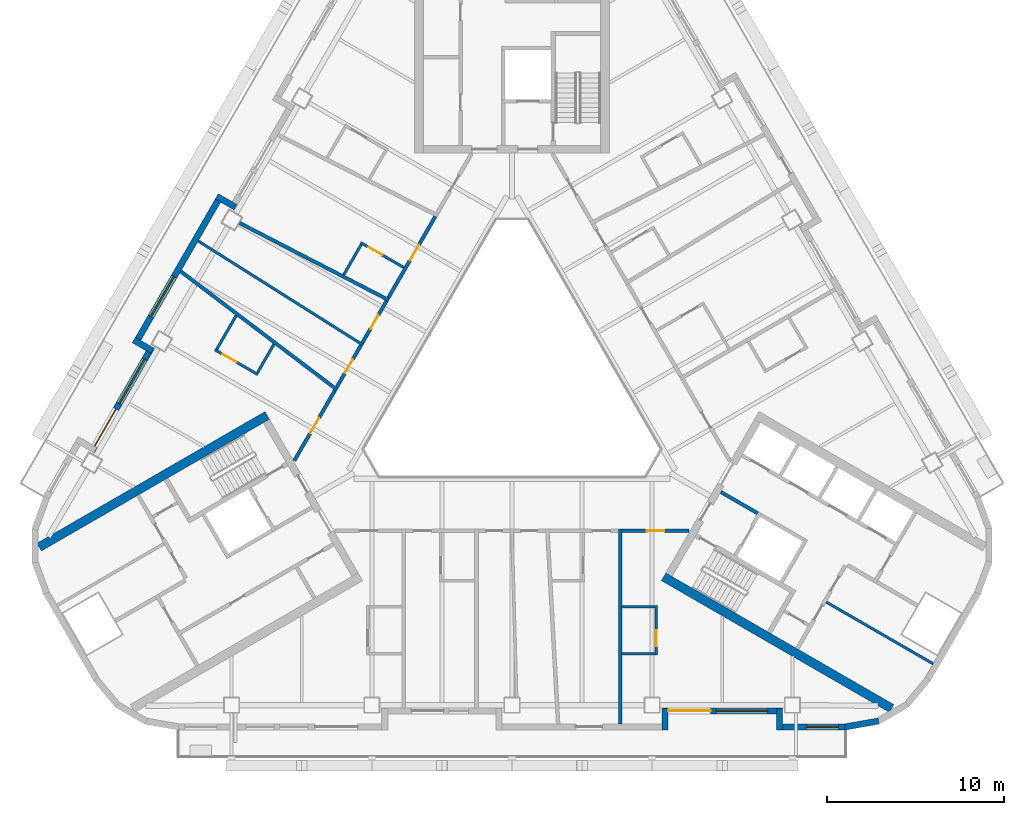
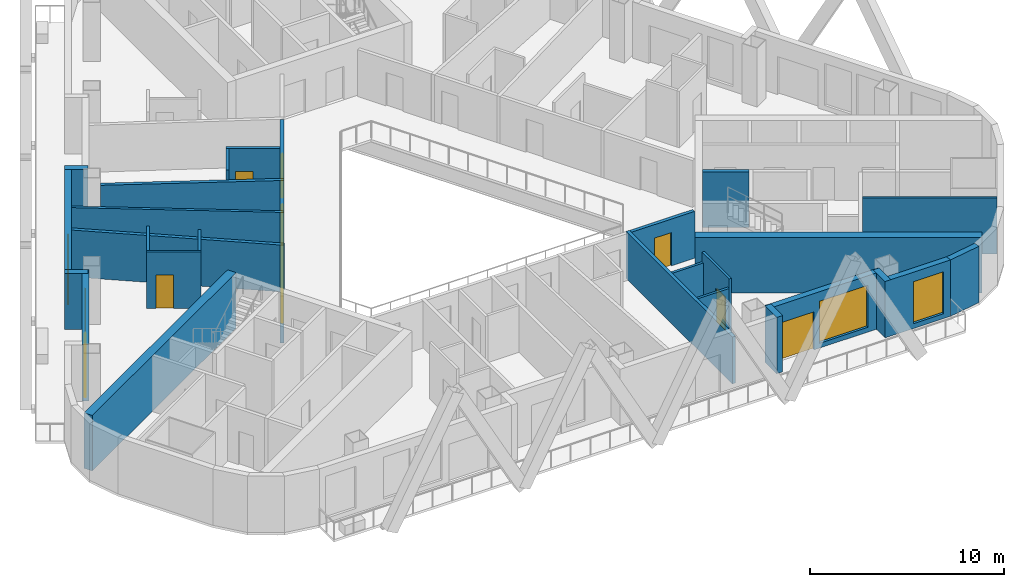
# One storey, part 4 of 14: 30 walls, 10 doors, 4 windows, 14 openings.
"""IFC4 building model written with IfcOpenShell, lengths in metres."""

from ifc_helpers import new_model, si_unit, direction, frame, frame_2d, origin, place, context, subcontext, project, spatial, rectangle, extrude, material, layer, layer_set, type_object, element, fill, save


model = new_model("IFC4")

# Units and contexts
model_context = context("Model", 3, precision=1e-05, world=origin(), true_north=direction((0.0, 1.0)))
body_context = subcontext(model_context, "Body", "Model", "MODEL_VIEW")
ifc_project = project(units=[si_unit("LENGTHUNIT", "METRE"), si_unit("AREAUNIT", "SQUARE_METRE"), si_unit("VOLUMEUNIT", "CUBIC_METRE"), si_unit("PLANEANGLEUNIT", "RADIAN"), si_unit("MASSUNIT", "GRAM", prefix="KILO")], contexts=[model_context])

# Site, building, storey
site_placement = place(None, origin())
site = spatial("IfcSite", under=ifc_project, at=site_placement, CompositionType="ELEMENT")
building_placement = place(site_placement, origin())
building = spatial("IfcBuilding", under=site, at=building_placement, Name="Apuvela Tower Hotel", CompositionType="ELEMENT")
storey_placement = place(building_placement, frame((0.0, 0.0, 90.89990234375)))
storey = spatial("IfcBuildingStorey", under=building, at=storey_placement, Name="L20", CompositionType="ELEMENT", Elevation=90.89990234375)

# Walls
ifc_material_1 = material(Name="Concrete C50/60", Category="concrete")
ifc_layer_1 = layer(ifc_material_1, 0.5)
ifc_layer_set_1 = layer_set([ifc_layer_1], Name="COR-WALL-CORE-500")
wall_type_1 = type_object("IfcWallType", Name="COR-WALL-CORE-500", PredefinedType="SHEAR", material=ifc_layer_set_1)
for number, where, z_axis, x_axis, name in (
    (1, (-13.796630859375, -1.9033203125, 0.0), (0.0, 0.0, 1.0), (-0.866025009528, -0.500000682871, 0.0), "Core wall SW"),
    (2, (8.546630859375, -10.99658203125, 0.0), (0.0, 0.0, 1.0), (0.866025009528, -0.500000682871, 0.0), "Core wall SE"),
):
    element("IfcWall", number, at=place(storey_placement, frame(where, z_axis=z_axis, x_axis=x_axis)), inside=storey, type_object=wall_type_1, Name=name, PredefinedType="SHEAR", context=body_context, shape_type="SweptSolid", body=[
        extrude(rectangle(XDim=14.8369140625, YDim=0.5, at=frame_2d((7.41845703125, 0.0))), origin(), (0.0, 0.0, 1.0), 3.5),
    ])
ifc_material_2 = material(Name="Blockwork 150 mm plastered", Category="masonry")
ifc_layer_2 = layer(ifc_material_2, 0.14990234375)
ifc_layer_set_2 = layer_set([ifc_layer_2], Name="COR-WALL-PART-150")
wall_type_2 = type_object("IfcWallType", Name="COR-WALL-PART-150", PredefinedType="PARTITIONING", material=ifc_layer_set_2)
wall_1_placement = place(storey_placement, frame((17.712890625, -12.42041015625, 0.0), z_axis=(0.0, 0.0, 1.0), x_axis=(0.866016523273, -0.500015381182, 0.0)))
element("IfcWall", 3, at=wall_1_placement, inside=storey, type_object=wall_type_2, Name="Partition SE", PredefinedType="PARTITIONING", context=body_context, shape_type="SweptSolid", body=[
    extrude(rectangle(XDim=6.949951171875, YDim=0.14990234375, at=frame_2d((3.47509765625, 0.0))), origin(), (0.0, 0.0, 1.0), 3.5),
])
ifc_layer_3 = layer(ifc_material_1, 0.199951171875)
ifc_layer_set_3 = layer_set([ifc_layer_3], Name="COR-WALL-SHAFT-200")
wall_type_3 = type_object("IfcWallType", Name="COR-WALL-SHAFT-200", PredefinedType="SHEAR", material=ifc_layer_set_3)
wall_2_placement = place(storey_placement, frame((11.76806640625, -6.217041015625, 0.0), z_axis=(0.0, 0.0, 1.0), x_axis=(0.866050077142, -0.499957262057, 0.0)))
element("IfcWall", 4, at=wall_2_placement, inside=storey, type_object=wall_type_3, Name="Shaft wall SE", PredefinedType="SHEAR", context=body_context, shape_type="SweptSolid", body=[
    extrude(rectangle(XDim=2.400146484375, YDim=0.199951171875, at=frame_2d((1.2001953125, 0.0))), origin(), (0.0, 0.0, 1.0), 3.5),
])
ifc_material_3 = material(Name="Concrete C40/50, dark pigmented precast panel", Category="concrete")
ifc_layer_4 = layer(ifc_material_3, 0.35009765625)
ifc_layer_set_4 = layer_set([ifc_layer_4], Name="ENV-WALL-350")
wall_type_4 = type_object("IfcWallType", Name="ENV-WALL-350", PredefinedType="SOLIDWALL", material=ifc_layer_set_4)
wall_3_placement = place(storey_placement, frame((-15.580810546875, 9.8330078125, 0.0), z_axis=(0.0, 0.0, 1.0), x_axis=(-0.866055662726, 0.499947586314, 0.0)))
element("IfcWall", 5, at=wall_3_placement, inside=storey, type_object=wall_type_4, Name="External wall L20-04", PredefinedType="SOLIDWALL", context=body_context, shape_type="SweptSolid", body=[
    extrude(rectangle(XDim=1.220458984375, YDim=0.35009765625, at=frame_2d((0.6103515625, 0.0))), origin(), (0.0, 0.0, 1.0), 3.550048828125),
])

# Wall, opening, window
wall_4_placement = place(storey_placement, frame((-16.3984375, 10.507080078125, 0.0), z_axis=(0.0, 0.0, 1.0), x_axis=(-0.499999142773, -0.866025898704, 0.0)))
wall_4 = element("IfcWall", 6, at=wall_4_placement, inside=storey, type_object=wall_type_4, Name="External wall L20-05", PredefinedType="SOLIDWALL", context=body_context, shape_type="SweptSolid", body=[
    extrude(rectangle(XDim=9.7001953125, YDim=0.35009765625, at=frame_2d((4.85009765625, 0.0))), origin(), (0.0, 0.0, 1.0), 3.550048828125),
])
opening_1_placement = place(wall_4_placement, frame((5.301025390625, 0.0, 0.300048828125)))
opening_1 = element("IfcOpeningElement", 7, at=opening_1_placement, cuts=wall_4, Name="Opening WN26", PredefinedType="OPENING", context=body_context, shape_type="SweptSolid", body=[
    extrude(rectangle(XDim=2.60009765625, YDim=2.64990234375, at=frame_2d((1.300048828125, 1.324951171875))), frame((0.0, 0.18505859375, 0.0), z_axis=(0.0, -1.0, 0.0), x_axis=(1.0, 0.0, 0.0)), (0.0, 0.0, 1.0), 0.3701171875),
])
ifc_material_4 = material(Name="Glass, dark tinted laminated insulated glazing unit", Category="glass")
window_type_1 = type_object("IfcWindowType", Name="ENV-WIN-2600x2650", PartitioningType="SINGLE_PANEL", PredefinedType="WINDOW", material=ifc_material_4)
window_1_placement = place(opening_1_placement, origin())
window_1 = element("IfcWindow", 8, at=window_1_placement, inside=storey, type_object=window_type_1, Name="Window WN26", OverallHeight=2.64990234375, OverallWidth=2.60009765625, PartitioningType="SINGLE_PANEL", PredefinedType="WINDOW", context=body_context, shape_type="SweptSolid", body=[
    extrude(rectangle(XDim=2.60009765625, YDim=2.64990234375, at=frame_2d((1.300048828125, 1.324951171875))), frame((0.0, 0.030029296875, 0.0), z_axis=(0.0, -1.0, 0.0), x_axis=(1.0, 0.0, 0.0)), (0.0, 0.0, 1.0), 0.06005859375),
])
fill(opening_1, window_1)

# Wall
wall_5_placement = place(storey_placement, frame((-21.3125, 2.345703125, 0.0), z_axis=(0.0, 0.0, 1.0), x_axis=(0.866005645448, -0.500034220881, 0.0)))
element("IfcWall", 9, at=wall_5_placement, inside=storey, type_object=wall_type_4, Name="External wall L20-06", PredefinedType="SOLIDWALL", context=body_context, shape_type="SweptSolid", body=[
    extrude(rectangle(XDim=1.22021484375, YDim=0.35009765625, at=frame_2d((0.610107421875, 0.0))), origin(), (0.0, 0.0, 1.0), 3.550048828125),
])

# Wall, openings, door, window
wall_6_placement = place(storey_placement, frame((-20.30908203125, 1.93359375, 0.0), z_axis=(0.0, 0.0, 1.0), x_axis=(-0.499992114976, -0.866029956157, 0.0)))
wall_6 = element("IfcWall", 10, at=wall_6_placement, inside=storey, type_object=wall_type_4, Name="External wall L20-07", PredefinedType="SOLIDWALL", context=body_context, shape_type="SweptSolid", body=[
    extrude(rectangle(XDim=6.73974609375, YDim=0.35009765625, at=frame_2d((3.369873046875, 0.0))), origin(), (0.0, 0.0, 1.0), 3.550048828125),
])
opening_2_placement = place(wall_6_placement, frame((4.02001953125, 0.0, 0.0)))
opening_2 = element("IfcOpeningElement", 11, at=opening_2_placement, cuts=wall_6, Name="Opening BD24", PredefinedType="OPENING", context=body_context, shape_type="SweptSolid", body=[
    extrude(rectangle(XDim=2.39990234375, YDim=2.39990234375, at=frame_2d((1.199951171875, 1.199951171875))), frame((0.0, 0.18505859375, 0.0), z_axis=(0.0, -1.0, 0.0), x_axis=(1.0, 0.0, 0.0)), (0.0, 0.0, 1.0), 0.3701171875),
])
opening_3_placement = place(wall_6_placement, frame((0.77001953125, 0.0, 0.300048828125)))
opening_3 = element("IfcOpeningElement", 12, at=opening_3_placement, cuts=wall_6, Name="Opening WN29", PredefinedType="OPENING", context=body_context, shape_type="SweptSolid", body=[
    extrude(rectangle(XDim=2.89990234375, YDim=2.64990234375, at=frame_2d((1.449951171875, 1.324951171875))), frame((0.0, 0.18505859375, 0.0), z_axis=(0.0, -1.0, 0.0), x_axis=(1.0, 0.0, 0.0)), (0.0, 0.0, 1.0), 0.3701171875),
])
ifc_material_5 = material(Name="Aluminium 6063-T6, dark bronze anodised frame with dark tinted laminated glass", Category="aluminium")
door_type_1 = type_object("IfcDoorType", Name="ENV-DOOR-BALCONY-2400x2400", OperationType="SLIDING_TO_LEFT", PredefinedType="DOOR", material=ifc_material_5)
door_1_placement = place(opening_2_placement, frame((2.39990234375, 0.0, 0.0), z_axis=(0.0, 0.0, 1.0), x_axis=(-1.0, 0.0, 0.0)))
door_1 = element("IfcDoor", 13, at=door_1_placement, inside=storey, type_object=door_type_1, Name="Balcony door BD24", OperationType="SLIDING_TO_LEFT", OverallHeight=2.39990234375, OverallWidth=2.39990234375, PredefinedType="DOOR", context=body_context, shape_type="SweptSolid", body=[
    extrude(rectangle(XDim=2.39990234375, YDim=2.39990234375, at=frame_2d((1.199951171875, 1.199951171875))), frame((0.0, 0.02490234375, 0.0), z_axis=(0.0, -1.0, 0.0), x_axis=(1.0, 0.0, 0.0)), (0.0, 0.0, 1.0), 0.050048828125),
])
fill(opening_2, door_1)
window_type_2 = type_object("IfcWindowType", Name="ENV-WIN-2900x2650", PartitioningType="SINGLE_PANEL", PredefinedType="WINDOW", material=ifc_material_4)
window_2_placement = place(opening_3_placement, origin())
window_2 = element("IfcWindow", 14, at=window_2_placement, inside=storey, type_object=window_type_2, Name="Window WN29", OverallHeight=2.64990234375, OverallWidth=2.89990234375, PartitioningType="SINGLE_PANEL", PredefinedType="WINDOW", context=body_context, shape_type="SweptSolid", body=[
    extrude(rectangle(XDim=2.89990234375, YDim=2.64990234375, at=frame_2d((1.449951171875, 1.324951171875))), frame((0.0, 0.030029296875, 0.0), z_axis=(0.0, -1.0, 0.0), x_axis=(1.0, 0.0, 0.0)), (0.0, 0.0, 1.0), 0.06005859375),
])
fill(opening_3, window_2)

# Wall
wall_7_placement = place(storey_placement, frame((8.625, -19.6298828125, 0.0), z_axis=(0.0, 0.0, 1.0), x_axis=(0.0, 1.0, 0.0)))
element("IfcWall", 15, at=wall_7_placement, inside=storey, type_object=wall_type_4, Name="External wall L20-22", PredefinedType="SOLIDWALL", context=body_context, shape_type="SweptSolid", body=[
    extrude(rectangle(XDim=1.219970703125, YDim=0.35009765625, at=frame_2d((0.60986328125, 0.0))), origin(), (0.0, 0.0, 1.0), 3.550048828125),
])

# Wall, openings, door, window
wall_8_placement = place(storey_placement, frame((8.47998046875, -18.554931640625, 0.0), z_axis=(0.0, 0.0, 1.0), x_axis=(1.0, 0.0, 0.0)))
wall_8 = element("IfcWall", 16, at=wall_8_placement, inside=storey, type_object=wall_type_4, Name="External wall L20-23", PredefinedType="SOLIDWALL", context=body_context, shape_type="SweptSolid", body=[
    extrude(rectangle(XDim=6.739990234375, YDim=0.35009765625, at=frame_2d((3.3701171875, 0.0))), origin(), (0.0, 0.0, 1.0), 3.550048828125),
])
opening_4_placement = place(wall_8_placement, frame((0.3203125, 0.0, 0.0)))
opening_4 = element("IfcOpeningElement", 17, at=opening_4_placement, cuts=wall_8, Name="Opening BD24", PredefinedType="OPENING", context=body_context, shape_type="SweptSolid", body=[
    extrude(rectangle(XDim=2.39990234375, YDim=2.39990234375, at=frame_2d((1.199951171875, 1.199951171875))), frame((0.0, 0.18505859375, 0.0), z_axis=(0.0, -1.0, 0.0), x_axis=(1.0, 0.0, 0.0)), (0.0, 0.0, 1.0), 0.3701171875),
])
opening_5_placement = place(wall_8_placement, frame((3.020263671875, 0.0, 0.300048828125)))
opening_5 = element("IfcOpeningElement", 18, at=opening_5_placement, cuts=wall_8, Name="Opening WN29", PredefinedType="OPENING", context=body_context, shape_type="SweptSolid", body=[
    extrude(rectangle(XDim=2.89990234375, YDim=2.64990234375, at=frame_2d((1.449951171875, 1.324951171875))), frame((0.0, 0.18505859375, 0.0), z_axis=(0.0, -1.0, 0.0), x_axis=(1.0, 0.0, 0.0)), (0.0, 0.0, 1.0), 0.3701171875),
])
door_2_placement = place(opening_4_placement, frame((2.39990234375, 0.0, 0.0), z_axis=(0.0, 0.0, 1.0), x_axis=(-1.0, 0.0, 0.0)))
door_2 = element("IfcDoor", 19, at=door_2_placement, inside=storey, type_object=door_type_1, Name="Balcony door BD24", OperationType="SLIDING_TO_LEFT", OverallHeight=2.39990234375, OverallWidth=2.39990234375, PredefinedType="DOOR", context=body_context, shape_type="SweptSolid", body=[
    extrude(rectangle(XDim=2.39990234375, YDim=2.39990234375, at=frame_2d((1.199951171875, 1.199951171875))), frame((0.0, 0.02490234375, 0.0), z_axis=(0.0, -1.0, 0.0), x_axis=(1.0, 0.0, 0.0)), (0.0, 0.0, 1.0), 0.050048828125),
])
fill(opening_4, door_2)
window_3_placement = place(opening_5_placement, origin())
window_3 = element("IfcWindow", 20, at=window_3_placement, inside=storey, type_object=window_type_2, Name="Window WN29", OverallHeight=2.64990234375, OverallWidth=2.89990234375, PartitioningType="SINGLE_PANEL", PredefinedType="WINDOW", context=body_context, shape_type="SweptSolid", body=[
    extrude(rectangle(XDim=2.89990234375, YDim=2.64990234375, at=frame_2d((1.449951171875, 1.324951171875))), frame((0.0, 0.030029296875, 0.0), z_axis=(0.0, -1.0, 0.0), x_axis=(1.0, 0.0, 0.0)), (0.0, 0.0, 1.0), 0.06005859375),
])
fill(opening_5, window_3)

# Wall
wall_9_placement = place(storey_placement, frame((15.074951171875, -18.409912109375, 0.0), z_axis=(0.0, 0.0, 1.0), x_axis=(0.0, -1.0, 0.0)))
element("IfcWall", 21, at=wall_9_placement, inside=storey, type_object=wall_type_4, Name="External wall L20-24", PredefinedType="SOLIDWALL", context=body_context, shape_type="SweptSolid", body=[
    extrude(rectangle(XDim=1.219970703125, YDim=0.35009765625, at=frame_2d((0.60986328125, 0.0))), origin(), (0.0, 0.0, 1.0), 3.550048828125),
])

# Wall, opening, window
wall_10_placement = place(storey_placement, frame((14.89990234375, -19.455078125, 0.0), z_axis=(0.0, 0.0, 1.0), x_axis=(1.0, 0.0, 0.0)))
wall_10 = element("IfcWall", 22, at=wall_10_placement, inside=storey, type_object=wall_type_4, Name="External wall L20-25", PredefinedType="SOLIDWALL", context=body_context, shape_type="SweptSolid", body=[
    extrude(rectangle(XDim=3.916015625, YDim=0.35009765625, at=frame_2d((1.9580078125, 0.0))), origin(), (0.0, 0.0, 1.0), 3.550048828125),
])
opening_6_placement = place(wall_10_placement, frame((1.699951171875, 0.0, 0.300048828125)))
opening_6 = element("IfcOpeningElement", 23, at=opening_6_placement, cuts=wall_10, Name="Opening WN18", PredefinedType="OPENING", context=body_context, shape_type="SweptSolid", body=[
    extrude(rectangle(XDim=1.800048828125, YDim=2.64990234375, at=frame_2d((0.89990234375, 1.324951171875))), frame((0.0, 0.18505859375, 0.0), z_axis=(0.0, -1.0, 0.0), x_axis=(1.0, 0.0, 0.0)), (0.0, 0.0, 1.0), 0.3701171875),
])
window_type_3 = type_object("IfcWindowType", Name="ENV-WIN-1800x2650", PartitioningType="SINGLE_PANEL", PredefinedType="WINDOW", material=ifc_material_4)
window_4_placement = place(opening_6_placement, origin())
window_4 = element("IfcWindow", 24, at=window_4_placement, inside=storey, type_object=window_type_3, Name="Window WN18", OverallHeight=2.64990234375, OverallWidth=1.800048828125, PartitioningType="SINGLE_PANEL", PredefinedType="WINDOW", context=body_context, shape_type="SweptSolid", body=[
    extrude(rectangle(XDim=1.800048828125, YDim=2.64990234375, at=frame_2d((0.89990234375, 1.324951171875))), frame((0.0, 0.030029296875, 0.0), z_axis=(0.0, -1.0, 0.0), x_axis=(1.0, 0.0, 0.0)), (0.0, 0.0, 1.0), 0.06005859375),
])
fill(opening_6, window_4)

# Walls
wall_11_placement = place(storey_placement, frame((18.785400390625, -19.457763671875, 0.0), z_axis=(0.0, 0.0, 1.0), x_axis=(0.984798995425, 0.173697837091, 0.0)))
element("IfcWall", 25, at=wall_11_placement, inside=storey, type_object=wall_type_4, Name="External wall L20-26", PredefinedType="SOLIDWALL", context=body_context, shape_type="SweptSolid", body=[
    extrude(rectangle(XDim=1.91015625, YDim=0.35009765625, at=frame_2d((0.955078125, 0.0))), origin(), (0.0, 0.0, 1.0), 3.550048828125),
])
ifc_material_6 = material(Name="Gypsum board partition on twin steel stud", Category="steel")
ifc_layer_5 = layer(ifc_material_6, 0.199951171875)
ifc_layer_set_5 = layer_set([ifc_layer_5], Name="GST-PW1")
wall_type_5 = type_object("IfcWallType", Name="GST-PW1", PredefinedType="PARTITIONING", material=ifc_layer_set_5)
wall_12_placement = place(storey_placement, frame((6.10009765625, -19.280029296875, 0.0), z_axis=(0.0, 0.0, 1.0), x_axis=(0.0, 1.0, 0.0)))
element("IfcWall", 26, at=wall_12_placement, inside=storey, type_object=wall_type_5, Name="L20 partition 04", PredefinedType="PARTITIONING", context=body_context, shape_type="SweptSolid", body=[
    extrude(rectangle(XDim=10.97998046875, YDim=0.199951171875, at=frame_2d((5.489990234375, 0.0))), origin(), (0.0, 0.0, 1.0), 2.960205078125),
])
wall_13_placement = place(storey_placement, frame((-15.363037109375, 8.9501953125, 0.0), z_axis=(0.0, 0.0, 1.0), x_axis=(0.888262888387, -0.459335434203, 0.0)))
element("IfcWall", 27, at=wall_13_placement, inside=storey, type_object=wall_type_5, Name="L20 partition 09", PredefinedType="PARTITIONING", context=body_context, shape_type="SweptSolid", body=[
    extrude(rectangle(XDim=9.489990234375, YDim=0.199951171875, at=frame_2d((4.7451171875, 0.0))), origin(), (0.0, 0.0, 1.0), 2.9501953125),
])
wall_14_placement = place(storey_placement, frame((-18.672119140625, 6.21923828125, 0.0), z_axis=(0.0, 0.0, 1.0), x_axis=(0.797182242606, -0.603738744884, 0.0)))
element("IfcWall", 28, at=wall_14_placement, inside=storey, type_object=wall_type_5, Name="L20 partition 10", PredefinedType="PARTITIONING", context=body_context, shape_type="SweptSolid", body=[
    extrude(rectangle(XDim=11.06591796875, YDim=0.199951171875, at=frame_2d((5.532958984375, 0.0))), origin(), (0.0, 0.0, 1.0), 2.9501953125),
])

# Wall, opening, door
ifc_material_7 = material(Name="Gypsum board corridor wall on twin steel stud, acoustic", Category="steel")
ifc_layer_6 = layer(ifc_material_7, 0.199951171875)
ifc_layer_set_6 = layer_set([ifc_layer_6], Name="GST-PW2")
wall_type_6 = type_object("IfcWallType", Name="GST-PW2", PredefinedType="PARTITIONING", material=ifc_layer_set_6)
wall_15_placement = place(storey_placement, frame((9.98828125, -8.39990234375, 0.0), z_axis=(0.0, 0.0, 1.0), x_axis=(-1.0, 0.0, 0.0)))
wall_15 = element("IfcWall", 29, at=wall_15_placement, inside=storey, type_object=wall_type_6, Name="L20 partition 24", PredefinedType="PARTITIONING", context=body_context, shape_type="SweptSolid", body=[
    extrude(rectangle(XDim=3.788330078125, YDim=0.199951171875, at=frame_2d((1.89404296875, 0.0))), origin(), (0.0, 0.0, 1.0), 2.9501953125),
])
opening_7_placement = place(wall_15_placement, frame((1.39404296875, 0.0, 0.0)))
opening_7 = element("IfcOpeningElement", 30, at=opening_7_placement, cuts=wall_15, Name="Opening GD06-10", PredefinedType="OPENING", context=body_context, shape_type="SweptSolid", body=[
    extrude(rectangle(XDim=1.0, YDim=2.10009765625, at=frame_2d((0.5, 1.050048828125))), frame((0.0, 0.10986328125, 0.0), z_axis=(0.0, -1.0, 0.0), x_axis=(1.0, 0.0, 0.0)), (0.0, 0.0, 1.0), 0.219970703125),
])
ifc_material_8 = material(Name="Timber door leaf in steel frame", Category="steel")
door_type_2 = type_object("IfcDoorType", Name="GST-D1", OperationType="NOTDEFINED", PredefinedType="DOOR", material=ifc_material_8)
door_3_placement = place(opening_7_placement, origin())
door_3 = element("IfcDoor", 31, at=door_3_placement, inside=storey, type_object=door_type_2, Name="Door L20-10", OperationType="SINGLE_SWING_RIGHT", OverallHeight=2.10009765625, OverallWidth=1.0, PredefinedType="DOOR", context=body_context, shape_type="SweptSolid", body=[
    extrude(rectangle(XDim=1.0, YDim=2.10009765625, at=frame_2d((0.5, 1.050048828125))), frame((0.0, 0.02490234375, 0.0), z_axis=(0.0, -1.0, 0.0), x_axis=(1.0, 0.0, 0.0)), (0.0, 0.0, 1.0), 0.050048828125),
])
fill(opening_7, door_3)

wall_16_placement = place(storey_placement, frame((-6.97216796875, 4.7236328125, 0.0), z_axis=(0.0, 0.0, 1.0), x_axis=(0.499968318869, 0.866043694121, 0.0)))
wall_16 = element("IfcWall", 32, at=wall_16_placement, inside=storey, type_object=wall_type_6, Name="L20 partition 46", PredefinedType="PARTITIONING", context=body_context, shape_type="SweptSolid", body=[
    extrude(rectangle(XDim=5.300537109375, YDim=0.199951171875, at=frame_2d((2.650390625, 0.0))), origin(), (0.0, 0.0, 1.0), 2.9501953125),
])
opening_8_placement = place(wall_16_placement, frame((2.4453125, 0.0, 0.0)))
opening_8 = element("IfcOpeningElement", 33, at=opening_8_placement, cuts=wall_16, Name="Opening GD06-22", PredefinedType="OPENING", context=body_context, shape_type="SweptSolid", body=[
    extrude(rectangle(XDim=1.0, YDim=2.10009765625, at=frame_2d((0.5, 1.050048828125))), frame((0.0, 0.10986328125, 0.0), z_axis=(0.0, -1.0, 0.0), x_axis=(1.0, 0.0, 0.0)), (0.0, 0.0, 1.0), 0.219970703125),
])
door_4_placement = place(opening_8_placement, origin())
door_4 = element("IfcDoor", 34, at=door_4_placement, inside=storey, type_object=door_type_2, Name="Door L20-22", OperationType="SINGLE_SWING_RIGHT", OverallHeight=2.10009765625, OverallWidth=1.0, PredefinedType="DOOR", context=body_context, shape_type="SweptSolid", body=[
    extrude(rectangle(XDim=1.0, YDim=2.10009765625, at=frame_2d((0.5, 1.050048828125))), frame((0.0, 0.02490234375, 0.0), z_axis=(0.0, -1.0, 0.0), x_axis=(1.0, 0.0, 0.0)), (0.0, 0.0, 1.0), 0.050048828125),
])
fill(opening_8, door_4)

wall_17_placement = place(storey_placement, frame((-8.439208984375, 2.18310546875, 0.0), z_axis=(0.0, 0.0, 1.0), x_axis=(0.500067773546, 0.865986271173, 0.0)))
wall_17 = element("IfcWall", 35, at=wall_17_placement, inside=storey, type_object=wall_type_6, Name="L20 partition 50", PredefinedType="PARTITIONING", context=body_context, shape_type="SweptSolid", body=[
    extrude(rectangle(XDim=2.7333984375, YDim=0.199951171875, at=frame_2d((1.36669921875, 0.0))), origin(), (0.0, 0.0, 1.0), 2.9501953125),
])
opening_9_placement = place(wall_17_placement, frame((0.916748046875, 0.0, 0.0)))
opening_9 = element("IfcOpeningElement", 36, at=opening_9_placement, cuts=wall_17, Name="Opening GD06-23", PredefinedType="OPENING", context=body_context, shape_type="SweptSolid", body=[
    extrude(rectangle(XDim=0.89990234375, YDim=2.10009765625, at=frame_2d((0.449951171875, 1.050048828125))), frame((0.0, 0.10986328125, 0.0), z_axis=(0.0, -1.0, 0.0), x_axis=(1.0, 0.0, 0.0)), (0.0, 0.0, 1.0), 0.219970703125),
])
door_type_3 = type_object("IfcDoorType", Name="GST-D2", OperationType="NOTDEFINED", PredefinedType="DOOR", material=ifc_material_8)
door_5_placement = place(opening_9_placement, origin())
door_5 = element("IfcDoor", 37, at=door_5_placement, inside=storey, type_object=door_type_3, Name="Door L20-23", OperationType="SINGLE_SWING_LEFT", OverallHeight=2.10009765625, OverallWidth=0.89990234375, PredefinedType="DOOR", context=body_context, shape_type="SweptSolid", body=[
    extrude(rectangle(XDim=0.89990234375, YDim=2.10009765625, at=frame_2d((0.449951171875, 1.050048828125))), frame((0.0, 0.02490234375, 0.0), z_axis=(0.0, -1.0, 0.0), x_axis=(1.0, 0.0, 0.0)), (0.0, 0.0, 1.0), 0.050048828125),
])
fill(opening_9, door_5)

wall_18_placement = place(storey_placement, frame((-9.880615234375, -0.3134765625, 0.0), z_axis=(0.0, 0.0, 1.0), x_axis=(0.500011155099, 0.866018963289, 0.0)))
wall_18 = element("IfcWall", 38, at=wall_18_placement, inside=storey, type_object=wall_type_6, Name="L20 partition 51", PredefinedType="PARTITIONING", context=body_context, shape_type="SweptSolid", body=[
    extrude(rectangle(XDim=2.73291015625, YDim=0.199951171875, at=frame_2d((1.366455078125, 0.0))), origin(), (0.0, 0.0, 1.0), 2.9501953125),
])
opening_10_placement = place(wall_18_placement, frame((0.91650390625, 0.0, 0.0)))
opening_10 = element("IfcOpeningElement", 39, at=opening_10_placement, cuts=wall_18, Name="Opening GD06-24", PredefinedType="OPENING", context=body_context, shape_type="SweptSolid", body=[
    extrude(rectangle(XDim=0.89990234375, YDim=2.10009765625, at=frame_2d((0.449951171875, 1.050048828125))), frame((0.0, 0.10986328125, 0.0), z_axis=(0.0, -1.0, 0.0), x_axis=(1.0, 0.0, 0.0)), (0.0, 0.0, 1.0), 0.219970703125),
])
door_6_placement = place(opening_10_placement, origin())
door_6 = element("IfcDoor", 40, at=door_6_placement, inside=storey, type_object=door_type_3, Name="Door L20-24", OperationType="SINGLE_SWING_RIGHT", OverallHeight=2.10009765625, OverallWidth=0.89990234375, PredefinedType="DOOR", context=body_context, shape_type="SweptSolid", body=[
    extrude(rectangle(XDim=0.89990234375, YDim=2.10009765625, at=frame_2d((0.449951171875, 1.050048828125))), frame((0.0, 0.02490234375, 0.0), z_axis=(0.0, -1.0, 0.0), x_axis=(1.0, 0.0, 0.0)), (0.0, 0.0, 1.0), 0.050048828125),
])
fill(opening_10, door_6)

wall_19_placement = place(storey_placement, frame((-12.268798828125, -4.449951171875, 0.0), z_axis=(0.0, 0.0, 1.0), x_axis=(0.500030411023, 0.86600784526, 0.0)))
wall_19 = element("IfcWall", 41, at=wall_19_placement, inside=storey, type_object=wall_type_6, Name="L20 partition 52", PredefinedType="PARTITIONING", context=body_context, shape_type="SweptSolid", body=[
    extrude(rectangle(XDim=4.574951171875, YDim=0.199951171875, at=frame_2d((2.28759765625, 0.0))), origin(), (0.0, 0.0, 1.0), 2.9501953125),
])
opening_11_placement = place(wall_19_placement, frame((1.787353515625, 0.0, 0.0)))
opening_11 = element("IfcOpeningElement", 42, at=opening_11_placement, cuts=wall_19, Name="Opening GD06-26", PredefinedType="OPENING", context=body_context, shape_type="SweptSolid", body=[
    extrude(rectangle(XDim=1.0, YDim=2.10009765625, at=frame_2d((0.5, 1.050048828125))), frame((0.0, 0.10986328125, 0.0), z_axis=(0.0, -1.0, 0.0), x_axis=(1.0, 0.0, 0.0)), (0.0, 0.0, 1.0), 0.219970703125),
])
door_7_placement = place(opening_11_placement, origin())
door_7 = element("IfcDoor", 43, at=door_7_placement, inside=storey, type_object=door_type_2, Name="Door L20-26", OperationType="SINGLE_SWING_RIGHT", OverallHeight=2.10009765625, OverallWidth=1.0, PredefinedType="DOOR", context=body_context, shape_type="SweptSolid", body=[
    extrude(rectangle(XDim=1.0, YDim=2.10009765625, at=frame_2d((0.5, 1.050048828125))), frame((0.0, 0.02490234375, 0.0), z_axis=(0.0, -1.0, 0.0), x_axis=(1.0, 0.0, 0.0)), (0.0, 0.0, 1.0), 0.050048828125),
])
fill(opening_11, door_7)

ifc_material_9 = material(Name="Moisture-resistant gypsum board wet wall on steel stud", Category="steel")
ifc_layer_7 = layer(ifc_material_9, 0.14990234375)
ifc_layer_set_7 = layer_set([ifc_layer_7], Name="GST-PW3")
wall_type_7 = type_object("IfcWallType", Name="GST-PW3", PredefinedType="PARTITIONING", material=ifc_layer_set_7)
wall_20_placement = place(storey_placement, frame((8.125, -15.39990234375, 0.0), z_axis=(0.0, 0.0, 1.0), x_axis=(0.0, 1.0, 0.0)))
wall_20 = element("IfcWall", 44, at=wall_20_placement, inside=storey, type_object=wall_type_7, Name="L20 partition 25", PredefinedType="PARTITIONING", context=body_context, shape_type="SweptSolid", body=[
    extrude(rectangle(XDim=2.7998046875, YDim=0.14990234375, at=frame_2d((1.39990234375, 0.0))), origin(), (0.0, 0.0, 1.0), 3.550048828125),
])
opening_12_placement = place(wall_20_placement, frame((0.5, 0.0, 0.0)))
opening_12 = element("IfcOpeningElement", 45, at=opening_12_placement, cuts=wall_20, Name="Opening GD06-09", PredefinedType="OPENING", context=body_context, shape_type="SweptSolid", body=[
    extrude(rectangle(XDim=0.89990234375, YDim=2.10009765625, at=frame_2d((0.449951171875, 1.050048828125))), frame((0.0, 0.0849609375, 0.0), z_axis=(0.0, -1.0, 0.0), x_axis=(1.0, 0.0, 0.0)), (0.0, 0.0, 1.0), 0.169921875),
])
door_8_placement = place(opening_12_placement, origin())
door_8 = element("IfcDoor", 46, at=door_8_placement, inside=storey, type_object=door_type_3, Name="Door L20-09", OperationType="SINGLE_SWING_LEFT", OverallHeight=2.10009765625, OverallWidth=0.89990234375, PredefinedType="DOOR", context=body_context, shape_type="SweptSolid", body=[
    extrude(rectangle(XDim=0.89990234375, YDim=2.10009765625, at=frame_2d((0.449951171875, 1.050048828125))), frame((0.0, 0.02490234375, 0.0), z_axis=(0.0, -1.0, 0.0), x_axis=(1.0, 0.0, 0.0)), (0.0, 0.0, 1.0), 0.050048828125),
])
fill(opening_12, door_8)

# Walls
for number, where, z_axis, x_axis, name in (
    (47, (6.199951171875, -15.324951171875, 0.0), (0.0, 0.0, 1.0), (1.0, 0.0, 0.0), "L20 partition 26"),
    (48, (6.199951171875, -12.675048828125, 0.0), (0.0, 0.0, 1.0), (1.0, 0.0, 0.0), "L20 partition 27"),
):
    element("IfcWall", number, at=place(storey_placement, frame(where, z_axis=z_axis, x_axis=x_axis)), inside=storey, type_object=wall_type_7, Name=name, PredefinedType="PARTITIONING", context=body_context, shape_type="SweptSolid", body=[
        extrude(rectangle(XDim=1.85009765625, YDim=0.14990234375, at=frame_2d((0.925048828125, 0.0))), origin(), (0.0, 0.0, 1.0), 2.9501953125),
    ])

# Wall, opening, door
wall_21_placement = place(storey_placement, frame((-6.0986328125, 6.436767578125, 0.0), z_axis=(0.0, 0.0, 1.0), x_axis=(-0.865996816683, 0.500049511043, 0.0)))
wall_21 = element("IfcWall", 49, at=wall_21_placement, inside=storey, type_object=wall_type_7, Name="L20 partition 47", PredefinedType="PARTITIONING", context=body_context, shape_type="SweptSolid", body=[
    extrude(rectangle(XDim=2.800048828125, YDim=0.14990234375, at=frame_2d((1.39990234375, 0.0))), origin(), (0.0, 0.0, 1.0), 3.550048828125),
])
opening_13_placement = place(wall_21_placement, frame((1.39990234375, 0.0, 0.0)))
opening_13 = element("IfcOpeningElement", 50, at=opening_13_placement, cuts=wall_21, Name="Opening GD06-21", PredefinedType="OPENING", context=body_context, shape_type="SweptSolid", body=[
    extrude(rectangle(XDim=0.89990234375, YDim=2.10009765625, at=frame_2d((0.449951171875, 1.050048828125))), frame((0.0, 0.0849609375, 0.0), z_axis=(0.0, -1.0, 0.0), x_axis=(1.0, 0.0, 0.0)), (0.0, 0.0, 1.0), 0.169921875),
])
door_9_placement = place(opening_13_placement, origin())
door_9 = element("IfcDoor", 51, at=door_9_placement, inside=storey, type_object=door_type_3, Name="Door L20-21", OperationType="SINGLE_SWING_RIGHT", OverallHeight=2.10009765625, OverallWidth=0.89990234375, PredefinedType="DOOR", context=body_context, shape_type="SweptSolid", body=[
    extrude(rectangle(XDim=0.89990234375, YDim=2.10009765625, at=frame_2d((0.449951171875, 1.050048828125))), frame((0.0, 0.02490234375, 0.0), z_axis=(0.0, -1.0, 0.0), x_axis=(1.0, 0.0, 0.0)), (0.0, 0.0, 1.0), 0.050048828125),
])
fill(opening_13, door_9)

# Walls
wall_22_placement = place(storey_placement, frame((-8.49609375, 7.734375, 0.0), z_axis=(0.0, 0.0, 1.0), x_axis=(-0.500018274647, -0.866014852655, 0.0)))
element("IfcWall", 52, at=wall_22_placement, inside=storey, type_object=wall_type_7, Name="L20 partition 48", PredefinedType="PARTITIONING", context=body_context, shape_type="SweptSolid", body=[
    extrude(rectangle(XDim=1.9765625, YDim=0.14990234375, at=frame_2d((0.98828125, 0.0))), origin(), (0.0, 0.0, 1.0), 3.550048828125),
])
wall_23_placement = place(storey_placement, frame((-17.6845703125, 7.9296875, 0.0), z_axis=(0.0, 0.0, 1.0), x_axis=(0.845650943469, -0.5337363411, 0.0)))
element("IfcWall", 53, at=wall_23_placement, inside=storey, type_object=wall_type_7, Name="L20 partition 49", PredefinedType="PARTITIONING", context=body_context, shape_type="SweptSolid", body=[
    extrude(rectangle(XDim=10.988525390625, YDim=0.14990234375, at=frame_2d((5.494140625, 0.0))), origin(), (0.0, 0.0, 1.0), 2.960205078125),
])

# Wall, opening, door
wall_24_placement = place(storey_placement, frame((-16.742919921875, 1.80029296875, 0.0), z_axis=(0.0, 0.0, 1.0), x_axis=(0.866034573852, -0.49998411664, 0.0)))
wall_24 = element("IfcWall", 54, at=wall_24_placement, inside=storey, type_object=wall_type_7, Name="L20 partition 53", PredefinedType="PARTITIONING", context=body_context, shape_type="SweptSolid", body=[
    extrude(rectangle(XDim=2.7998046875, YDim=0.14990234375, at=frame_2d((1.39990234375, 0.0))), origin(), (0.0, 0.0, 1.0), 3.550048828125),
])
opening_14_placement = place(wall_24_placement, frame((0.5, 0.0, 0.0)))
opening_14 = element("IfcOpeningElement", 55, at=opening_14_placement, cuts=wall_24, Name="Opening GD06-25", PredefinedType="OPENING", context=body_context, shape_type="SweptSolid", body=[
    extrude(rectangle(XDim=0.89990234375, YDim=2.10009765625, at=frame_2d((0.449951171875, 1.050048828125))), frame((0.0, 0.0849609375, 0.0), z_axis=(0.0, -1.0, 0.0), x_axis=(1.0, 0.0, 0.0)), (0.0, 0.0, 1.0), 0.169921875),
])
door_10_placement = place(opening_14_placement, origin())
door_10 = element("IfcDoor", 56, at=door_10_placement, inside=storey, type_object=door_type_3, Name="Door L20-25", OperationType="SINGLE_SWING_LEFT", OverallHeight=2.10009765625, OverallWidth=0.89990234375, PredefinedType="DOOR", context=body_context, shape_type="SweptSolid", body=[
    extrude(rectangle(XDim=0.89990234375, YDim=2.10009765625, at=frame_2d((0.449951171875, 1.050048828125))), frame((0.0, 0.02490234375, 0.0), z_axis=(0.0, -1.0, 0.0), x_axis=(1.0, 0.0, 0.0)), (0.0, 0.0, 1.0), 0.050048828125),
])
fill(opening_14, door_10)

# Walls
wall_25_placement = place(storey_placement, frame((-15.544921875, 3.7255859375, 0.0), z_axis=(0.0, 0.0, 1.0), x_axis=(-0.499937856693, -0.866061279267, 0.0)))
element("IfcWall", 57, at=wall_25_placement, inside=storey, type_object=wall_type_7, Name="L20 partition 54", PredefinedType="PARTITIONING", context=body_context, shape_type="SweptSolid", body=[
    extrude(rectangle(XDim=2.191162109375, YDim=0.14990234375, at=frame_2d((1.095703125, 0.0))), origin(), (0.0, 0.0, 1.0), 3.550048828125),
])
wall_26_placement = place(storey_placement, frame((-13.415771484375, 2.113037109375, 0.0), z_axis=(0.0, 0.0, 1.0), x_axis=(-0.499980071345, -0.866036909293, 0.0)))
element("IfcWall", 58, at=wall_26_placement, inside=storey, type_object=wall_type_7, Name="L20 partition 55", PredefinedType="PARTITIONING", context=body_context, shape_type="SweptSolid", body=[
    extrude(rectangle(XDim=1.859375, YDim=0.14990234375, at=frame_2d((0.9296875, 0.0))), origin(), (0.0, 0.0, 1.0), 3.550048828125),
])

save(model, "model.ifc")
